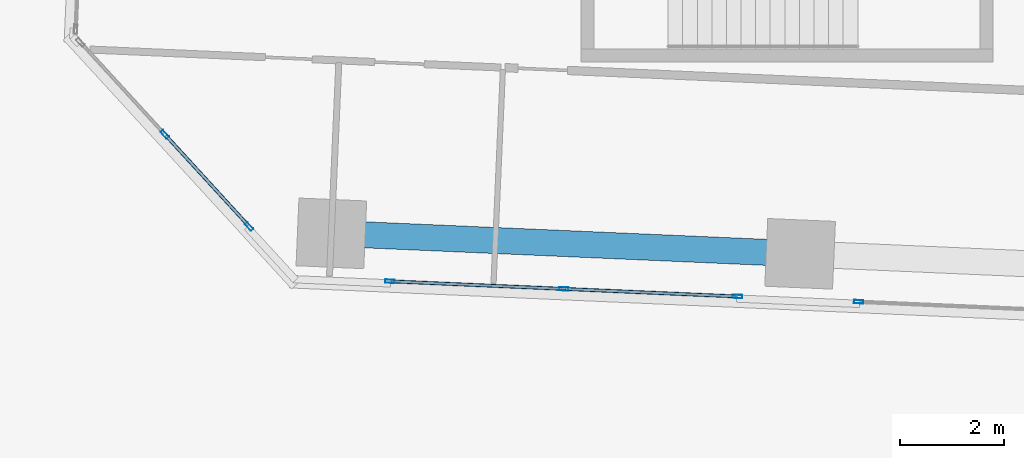
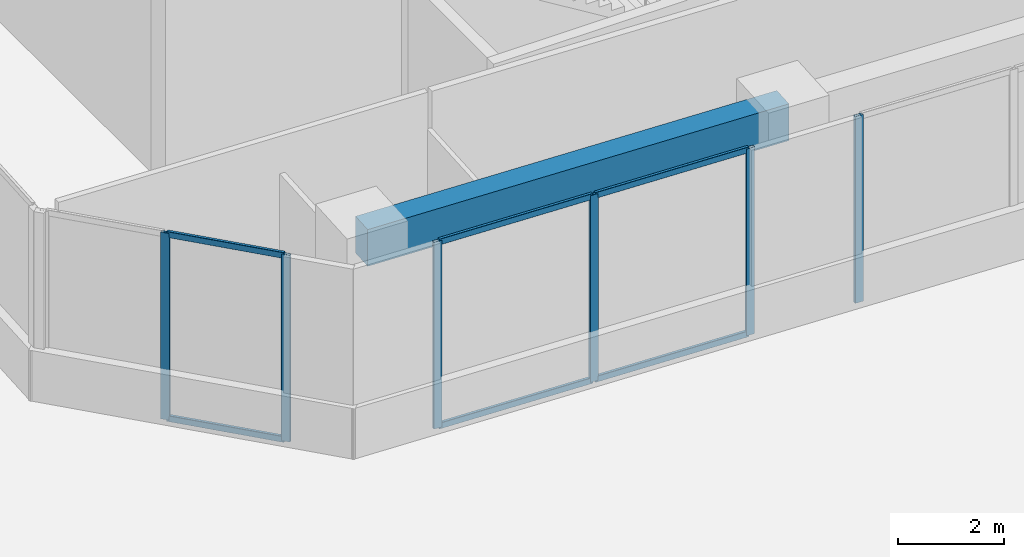
# One storey, part 4 of 33: 12 members, 1 beam, 3 elements without a shape of their own.
"""IFC4 building model written with IfcOpenShell, lengths in metres."""

from ifc_helpers import new_model, si_unit, direction, frame, origin, origin_2d, place, context, subcontext, project, spatial, rectangle, hollow_rectangle, extrude, source, transform, mapped, material, material_profile, profile_set, type_object, element, aggregate, save


model = new_model("IFC4")

# Units and contexts
model_context = context("Model", 3, precision=1e-05, world=origin(), true_north=direction((0.0, 1.0)))
body_context = subcontext(model_context, "Body", "Model", "MODEL_VIEW")
ifc_project = project(units=[si_unit("LENGTHUNIT", "METRE"), si_unit("AREAUNIT", "SQUARE_METRE"), si_unit("VOLUMEUNIT", "CUBIC_METRE"), si_unit("PLANEANGLEUNIT", "RADIAN"), si_unit("MASSUNIT", "GRAM", prefix="KILO")], contexts=[model_context])

# Site, building, storey
site_placement = place(None, origin())
site = spatial("IfcSite", under=ifc_project, at=site_placement, CompositionType="ELEMENT")
building_placement = place(site_placement, origin())
building = spatial("IfcBuilding", under=site, at=building_placement, Name="Torre Montelarca", CompositionType="ELEMENT")
storey_placement = place(building_placement, frame((0.0, 0.0, 32.800048828125)))
storey = spatial("IfcBuildingStorey", under=building, at=storey_placement, Name="L07", CompositionType="ELEMENT", Elevation=32.800048828125)

# Beam
ifc_material_1 = material(Name="Concrete C55/67", Category="concrete")
ifc_material_profile_1 = material_profile(ifc_material_1, rectangle(XDim=0.5, YDim=0.85009765625, at=origin_2d()), Name="RCB500X850", Category="concrete")
ifc_profile_set_1 = profile_set([ifc_material_profile_1], Name="Concrete C55/67")
beam_type = type_object("IfcBeamType", Name="BM-SP-RC850-EXT", PredefinedType="SPANDREL", material=ifc_profile_set_1)
shared_shape_1 = source(origin(), body_context, "Body", "SweptSolid", [
    extrude(rectangle(XDim=0.5, YDim=0.85009765625, at=origin_2d()), origin(), (0.0, 0.0, 1.0), 9.0),
])
beam_placement = place(storey_placement, frame((8.26171875, 15.361572265625, 4.135009765625), z_axis=(0.999048208421, -0.043619688809, 0.0), x_axis=(0.043619688809, 0.999048208421, 0.0)))
element("IfcBeam", 1, at=beam_placement, inside=storey, type_object=beam_type, Name="L07 Grid Girder X 9.0-18.0 at Y=14.8", PredefinedType="SPANDREL", context=body_context, shape_type="MappedRepresentation", body=[
    mapped(shared_shape_1, transform((0.0, 0.0, 0.0), scale=1.0)),
])

# Curtain wall, members
ifc_material_2 = material(Name="Insulated low-E laminated glass", Category="glass")
curtain_wall_type = type_object("IfcCurtainWallType", Name="CW-SYS-Z1", PredefinedType="USERDEFINED", material=ifc_material_2)
curtain_wall_1_placement = place(storey_placement, origin())
curtain_wall_1 = element("IfcCurtainWall", 2, at=curtain_wall_1_placement, inside=storey, type_object=curtain_wall_type, Name="L07 Curtain Wall Run CW-T3-L07-E01-B1", ObjectType="UNITISED GLAZING", PredefinedType="USERDEFINED")
ifc_material_3 = material(Name="Anodised aluminium AA 6063-T6", Category="aluminium")
ifc_material_profile_2 = material_profile(ifc_material_3, hollow_rectangle(XDim=0.06494140625, YDim=0.179931640625, WallThickness=0.00390625, InnerFilletRadius=0.00390625, OuterFilletRadius=0.008056640625, at=origin_2d()), Name="ALU65X180X4", Category="aluminium")
ifc_profile_set_2 = profile_set([ifc_material_profile_2], Name="Anodised aluminium AA 6063-T6")
member_type_1 = type_object("IfcMemberType", Name="CWM-ALU180", PredefinedType="MULLION", material=ifc_profile_set_2)
shared_shape_2 = source(origin(), body_context, "Body", "SweptSolid", [
    extrude(hollow_rectangle(XDim=0.06494140625, YDim=0.179931640625, WallThickness=0.00390625, InnerFilletRadius=0.00390625, OuterFilletRadius=0.008056640625, at=origin_2d()), origin(), (0.0, 0.0, 1.0), 4.320068359375),
])
member_1_placement = place(storey_placement, frame((9.385009765625, 14.44189453125, 0.0), z_axis=(0.0, 0.0, 1.0), x_axis=(0.043634888151, 0.999047544682, 0.0)))
member_1 = element("IfcMember", 3, at=member_1_placement, type_object=member_type_1, Name="CW mullion 1", PredefinedType="MULLION", context=body_context, shape_type="MappedRepresentation", body=[
    mapped(shared_shape_2, transform((0.0, 0.0, 0.0), scale=1.0)),
])
member_2_placement = place(storey_placement, frame((12.719482421875, 14.296142578125, 0.0), z_axis=(0.0, 0.0, 1.0), x_axis=(0.043634888151, 0.999047544682, 0.0)))
member_2 = element("IfcMember", 4, at=member_2_placement, type_object=member_type_1, Name="CW mullion 2", PredefinedType="MULLION", context=body_context, shape_type="MappedRepresentation", body=[
    mapped(shared_shape_2, transform((0.0, 0.0, 0.0), scale=1.0)),
])
member_3_placement = place(storey_placement, frame((16.0537109375, 14.150634765625, 0.0), z_axis=(0.0, 0.0, 1.0), x_axis=(0.043634888151, 0.999047544682, 0.0)))
member_3 = element("IfcMember", 5, at=member_3_placement, type_object=member_type_1, Name="CW mullion 3", PredefinedType="MULLION", context=body_context, shape_type="MappedRepresentation", body=[
    mapped(shared_shape_2, transform((0.0, 0.0, 0.0), scale=1.0)),
])

# Curtain wall, member
curtain_wall_2_placement = place(storey_placement, origin())
curtain_wall_2 = element("IfcCurtainWall", 6, at=curtain_wall_2_placement, inside=storey, type_object=curtain_wall_type, Name="L07 Curtain Wall Run CW-T3-L07-E01-B2", ObjectType="UNITISED GLAZING", PredefinedType="USERDEFINED")
member_4_placement = place(storey_placement, frame((18.37646484375, 14.049072265625, 0.0), z_axis=(0.0, 0.0, 1.0), x_axis=(0.043631254645, 0.999047703375, 0.0)))
member_4 = element("IfcMember", 7, at=member_4_placement, type_object=member_type_1, Name="CW mullion 1", PredefinedType="MULLION", context=body_context, shape_type="MappedRepresentation", body=[
    mapped(shared_shape_2, transform((0.0, 0.0, 0.0), scale=1.0)),
])
aggregate(curtain_wall_2, [member_4])

# Curtain wall, members
curtain_wall_3_placement = place(storey_placement, origin())
curtain_wall_3 = element("IfcCurtainWall", 8, at=curtain_wall_3_placement, inside=storey, type_object=curtain_wall_type, Name="L07 Curtain Wall Run CW-T3-L07-E11-B1", ObjectType="UNITISED GLAZING", PredefinedType="USERDEFINED")
member_5_placement = place(storey_placement, frame((5.0673828125, 17.260498046875, 0.0), z_axis=(0.0, 0.0, 1.0), x_axis=(0.737282349543, 0.675584737137, 0.0)))
member_5 = element("IfcMember", 9, at=member_5_placement, type_object=member_type_1, Name="CW mullion 2", PredefinedType="MULLION", context=body_context, shape_type="MappedRepresentation", body=[
    mapped(shared_shape_2, transform((0.0, 0.0, 0.0), scale=1.0)),
])
member_6_placement = place(storey_placement, frame((6.685791015625, 15.494384765625, 0.0), z_axis=(0.0, 0.0, 1.0), x_axis=(0.737282349543, 0.675584737137, 0.0)))
member_6 = element("IfcMember", 10, at=member_6_placement, type_object=member_type_1, Name="CW mullion 3", PredefinedType="MULLION", context=body_context, shape_type="MappedRepresentation", body=[
    mapped(shared_shape_2, transform((0.0, 0.0, 0.0), scale=1.0)),
])

# Member
ifc_material_profile_3 = material_profile(ifc_material_3, hollow_rectangle(XDim=0.06494140625, YDim=0.139892578125, WallThickness=0.00390625, InnerFilletRadius=0.00390625, OuterFilletRadius=0.008056640625, at=origin_2d()), Name="ALU65X140X4", Category="aluminium")
ifc_profile_set_3 = profile_set([ifc_material_profile_3], Name="Anodised aluminium AA 6063-T6")
member_type_2 = type_object("IfcMemberType", Name="CWT-ALU140", PredefinedType="USERDEFINED", material=ifc_profile_set_3)
shared_shape_3 = source(origin(), body_context, "Body", "SweptSolid", [
    extrude(hollow_rectangle(XDim=0.06494140625, YDim=0.139892578125, WallThickness=0.00390625, InnerFilletRadius=0.00390625, OuterFilletRadius=0.008056640625, at=origin_2d()), origin(), (0.0, 0.0, 1.0), 3.272705078125),
])
member_7_placement = place(storey_placement, frame((9.41748046875, 14.4404296875, 0.032470703125), z_axis=(0.999047269953, -0.043641177787, 0.0), x_axis=(0.043641177787, 0.999047269953, 0.0)))
member_7 = element("IfcMember", 11, at=member_7_placement, type_object=member_type_2, Name="CW transom 1.1", ObjectType="TRANSOM", PredefinedType="USERDEFINED", context=body_context, shape_type="MappedRepresentation", body=[
    mapped(shared_shape_3, transform((0.0, 0.0, 0.0), scale=1.0)),
])

member_8_placement = place(storey_placement, frame((9.41748046875, 14.4404296875, 4.287353515625), z_axis=(0.999047269953, -0.043641177787, 0.0), x_axis=(0.043641177787, 0.999047269953, 0.0)))
member_8 = element("IfcMember", 12, at=member_8_placement, type_object=member_type_2, Name="CW transom 1.2", ObjectType="TRANSOM", PredefinedType="USERDEFINED", context=body_context, shape_type="MappedRepresentation", body=[
    mapped(shared_shape_3, transform((0.0, 0.0, 0.0), scale=1.0)),
])

shared_shape_4 = source(origin(), body_context, "Body", "SweptSolid", [
    extrude(hollow_rectangle(XDim=0.06494140625, YDim=0.139892578125, WallThickness=0.00390625, InnerFilletRadius=0.00390625, OuterFilletRadius=0.008056640625, at=origin_2d()), origin(), (0.0, 0.0, 1.0), 3.2724609375),
])
member_9_placement = place(storey_placement, frame((12.751953125, 14.294677734375, 0.032470703125), z_axis=(0.999047127857, -0.043644430573, 0.0), x_axis=(0.043644430573, 0.999047127857, 0.0)))
member_9 = element("IfcMember", 13, at=member_9_placement, type_object=member_type_2, Name="CW transom 2.1", ObjectType="TRANSOM", PredefinedType="USERDEFINED", context=body_context, shape_type="MappedRepresentation", body=[
    mapped(shared_shape_4, transform((0.0, 0.0, 0.0), scale=1.0)),
])

member_10_placement = place(storey_placement, frame((12.751953125, 14.294677734375, 4.287353515625), z_axis=(0.999047127857, -0.043644430573, 0.0), x_axis=(0.043644430573, 0.999047127857, 0.0)))
member_10 = element("IfcMember", 14, at=member_10_placement, type_object=member_type_2, Name="CW transom 2.2", ObjectType="TRANSOM", PredefinedType="USERDEFINED", context=body_context, shape_type="MappedRepresentation", body=[
    mapped(shared_shape_4, transform((0.0, 0.0, 0.0), scale=1.0)),
])

aggregate(curtain_wall_1, [member_1, member_2, member_3, member_7, member_8, member_9, member_10])

shared_shape_5 = source(origin(), body_context, "Body", "SweptSolid", [
    extrude(hollow_rectangle(XDim=0.06494140625, YDim=0.139892578125, WallThickness=0.00390625, InnerFilletRadius=0.00390625, OuterFilletRadius=0.008056640625, at=origin_2d()), origin(), (0.0, 0.0, 1.0), 2.33056640625),
])
member_11_placement = place(storey_placement, frame((5.08935546875, 17.236572265625, 0.032470703125), z_axis=(0.6755823036, -0.737284579428, 0.0), x_axis=(0.737284579428, 0.6755823036, 0.0)))
member_11 = element("IfcMember", 15, at=member_11_placement, type_object=member_type_2, Name="CW transom 2.1", ObjectType="TRANSOM", PredefinedType="USERDEFINED", context=body_context, shape_type="MappedRepresentation", body=[
    mapped(shared_shape_5, transform((0.0, 0.0, 0.0), scale=1.0)),
])

member_12_placement = place(storey_placement, frame((5.08935546875, 17.236572265625, 4.287353515625), z_axis=(0.6755823036, -0.737284579428, 0.0), x_axis=(0.737284579428, 0.6755823036, 0.0)))
member_12 = element("IfcMember", 16, at=member_12_placement, type_object=member_type_2, Name="CW transom 2.2", ObjectType="TRANSOM", PredefinedType="USERDEFINED", context=body_context, shape_type="MappedRepresentation", body=[
    mapped(shared_shape_5, transform((0.0, 0.0, 0.0), scale=1.0)),
])

aggregate(curtain_wall_3, [member_5, member_6, member_11, member_12])

save(model, "model.ifc")
